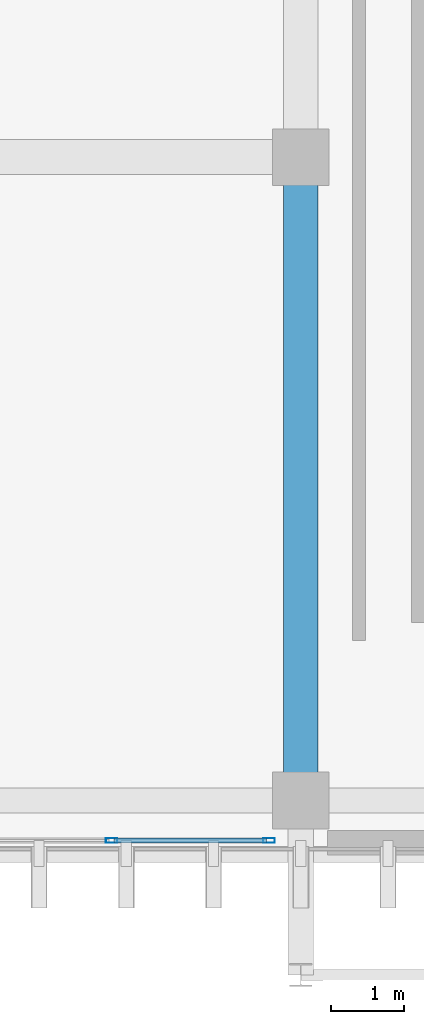
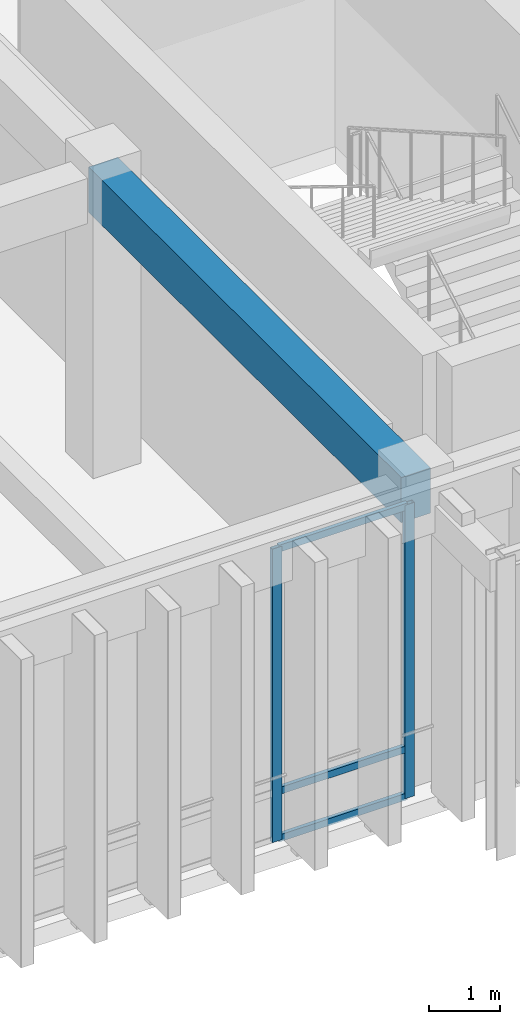
# One storey, part 21 of 134: 5 members, 1 beam, 1 element without a shape of its own.
"""IFC4 building model written with IfcOpenShell, lengths in metres."""

from ifc_helpers import new_model, si_unit, direction, frame, origin, origin_2d, place, context, subcontext, project, spatial, rectangle, hollow_rectangle, extrude, material, layer, layer_set, material_profile, profile_set, type_object, element, aggregate, save


model = new_model("IFC4")

# Units and contexts
model_context = context("Model", 3, precision=1e-05, world=origin(), true_north=direction((0.0, 1.0)))
body_context = subcontext(model_context, "Body", "Model", "MODEL_VIEW")
ifc_project = project(units=[si_unit("LENGTHUNIT", "METRE"), si_unit("AREAUNIT", "SQUARE_METRE"), si_unit("VOLUMEUNIT", "CUBIC_METRE"), si_unit("PLANEANGLEUNIT", "RADIAN"), si_unit("MASSUNIT", "GRAM", prefix="KILO")], contexts=[model_context])

# Site, building, storey
site_placement = place(None, origin())
site = spatial("IfcSite", under=ifc_project, at=site_placement, CompositionType="ELEMENT")
building_placement = place(site_placement, origin())
building = spatial("IfcBuilding", under=site, at=building_placement, Name="Nakhvara Creek Congress Hotel", CompositionType="ELEMENT")
storey_placement = place(building_placement, frame((0.0, 0.0, 6.0)))
storey = spatial("IfcBuildingStorey", under=building, at=storey_placement, Name="L01", CompositionType="ELEMENT", Elevation=6.0)

# Beam
ifc_material_1 = material(Name="Concrete C40/50", Category="concrete")
ifc_material_profile_1 = material_profile(ifc_material_1, rectangle(XDim=0.47998046875, YDim=0.780029296875, at=origin_2d()), Name="RC-BM 480x780", Category="LoadBearing")
ifc_profile_set_1 = profile_set([ifc_material_profile_1], Name="Concrete C40/50")
beam_type = type_object("IfcBeamType", Name="BM-RC-480X780", PredefinedType="BEAM", material=ifc_profile_set_1)
beam_placement = place(storey_placement, frame((115.199951171875, 0.75, 4.7099609375), z_axis=(0.0, 1.0, 0.0), x_axis=(-1.0, 0.0, 0.0)))
element("IfcBeam", 1, at=beam_placement, inside=storey, type_object=beam_type, Name="Beam B13-L01-1203", PredefinedType="BEAM", context=body_context, shape_type="SweptSolid", body=[
    extrude(rectangle(XDim=0.47998046875, YDim=0.780029296875, at=origin_2d()), origin(), (0.0, 0.0, 1.0), 8.85009765625),
])

# Curtain wall, members
ifc_material_2 = material(Name="Bronze-anodised aluminium AW-6063-T6 and double-silver low-E glass", Category="aluminium")
ifc_layer = layer(ifc_material_2, 0.199951171875)
ifc_layer_set = layer_set([ifc_layer], Name="Bronze-anodised aluminium AW-6063-T6 and double-silver low-E glass")
curtain_wall_type = type_object("IfcCurtainWallType", Name="CW-SPA-STICK", PredefinedType="NOTDEFINED", material=ifc_layer_set)
curtain_wall_placement = place(storey_placement, origin())
curtain_wall = element("IfcCurtainWall", 2, at=curtain_wall_placement, inside=storey, type_object=curtain_wall_type, Name="Curtain Wall CW078", PredefinedType="NOTDEFINED")
ifc_material_3 = material(Name="Bronze-anodised aluminium AW-6063-T6", Category="aluminium")
ifc_material_profile_2 = material_profile(ifc_material_3, hollow_rectangle(XDim=0.06494140625, YDim=0.159912109375, WallThickness=0.00390625, at=origin_2d()), Name="ALU-MULL 65x160x4", Category="LoadBearing")
ifc_profile_set_2 = profile_set([ifc_material_profile_2], Name="Bronze-anodised aluminium AW-6063-T6")
member_type_1 = type_object("IfcMemberType", Name="CW-MULL-160", PredefinedType="MULLION", material=ifc_profile_set_2)
member_1_placement = place(storey_placement, frame((114.762451171875, 0.199951171875, 0.0), z_axis=(0.0, 0.0, 1.0), x_axis=(0.0, -1.0, 0.0)))
member_1 = element("IfcMember", 3, at=member_1_placement, type_object=member_type_1, Name="CW078 mullion 1", PredefinedType="MULLION", context=body_context, shape_type="SweptSolid", body=[
    extrude(hollow_rectangle(XDim=0.06494140625, YDim=0.159912109375, WallThickness=0.00390625, at=origin_2d()), origin(), (0.0, 0.0, 1.0), 5.070068359375),
])
member_2_placement = place(storey_placement, frame((112.597412109375, 0.199951171875, 0.0), z_axis=(0.0, 0.0, 1.0), x_axis=(0.0, -1.0, 0.0)))
member_2 = element("IfcMember", 4, at=member_2_placement, type_object=member_type_1, Name="CW078 mullion 2", PredefinedType="MULLION", context=body_context, shape_type="SweptSolid", body=[
    extrude(hollow_rectangle(XDim=0.06494140625, YDim=0.159912109375, WallThickness=0.00390625, at=origin_2d()), origin(), (0.0, 0.0, 1.0), 5.070068359375),
])
ifc_material_profile_3 = material_profile(ifc_material_3, hollow_rectangle(XDim=0.06494140625, YDim=0.1201171875, WallThickness=0.00390625, at=origin_2d()), Name="ALU-TRAN 65x120x4", Category="LoadBearing")
ifc_profile_set_3 = profile_set([ifc_material_profile_3], Name="Bronze-anodised aluminium AW-6063-T6")
member_type_2 = type_object("IfcMemberType", Name="CW-TRAN-120", PredefinedType="USERDEFINED", material=ifc_profile_set_3)
member_3_placement = place(storey_placement, frame((114.72998046875, 0.199951171875, 0.032470703125), z_axis=(-1.0, 0.0, 0.0), x_axis=(0.0, -1.0, 0.0)))
member_3 = element("IfcMember", 5, at=member_3_placement, type_object=member_type_2, Name="CW078 transom 1.1", ObjectType="TRANSOM", PredefinedType="USERDEFINED", context=body_context, shape_type="SweptSolid", body=[
    extrude(hollow_rectangle(XDim=0.06494140625, YDim=0.1201171875, WallThickness=0.00390625, at=origin_2d()), origin(), (0.0, 0.0, 1.0), 2.10009765625),
])
member_4_placement = place(storey_placement, frame((114.72998046875, 0.199951171875, 0.85009765625), z_axis=(-1.0, 0.0, 0.0), x_axis=(0.0, -1.0, 0.0)))
member_4 = element("IfcMember", 6, at=member_4_placement, type_object=member_type_2, Name="CW078 transom 1.2", ObjectType="TRANSOM", PredefinedType="USERDEFINED", context=body_context, shape_type="SweptSolid", body=[
    extrude(hollow_rectangle(XDim=0.06494140625, YDim=0.1201171875, WallThickness=0.00390625, at=origin_2d()), origin(), (0.0, 0.0, 1.0), 2.10009765625),
])
member_5_placement = place(storey_placement, frame((114.72998046875, 0.199951171875, 5.03759765625), z_axis=(-1.0, 0.0, 0.0), x_axis=(0.0, -1.0, 0.0)))
member_5 = element("IfcMember", 7, at=member_5_placement, type_object=member_type_2, Name="CW078 transom 1.3", ObjectType="TRANSOM", PredefinedType="USERDEFINED", context=body_context, shape_type="SweptSolid", body=[
    extrude(hollow_rectangle(XDim=0.06494140625, YDim=0.1201171875, WallThickness=0.00390625, at=origin_2d()), origin(), (0.0, 0.0, 1.0), 2.10009765625),
])
aggregate(curtain_wall, [member_1, member_2, member_3, member_4, member_5])

save(model, "model.ifc")
